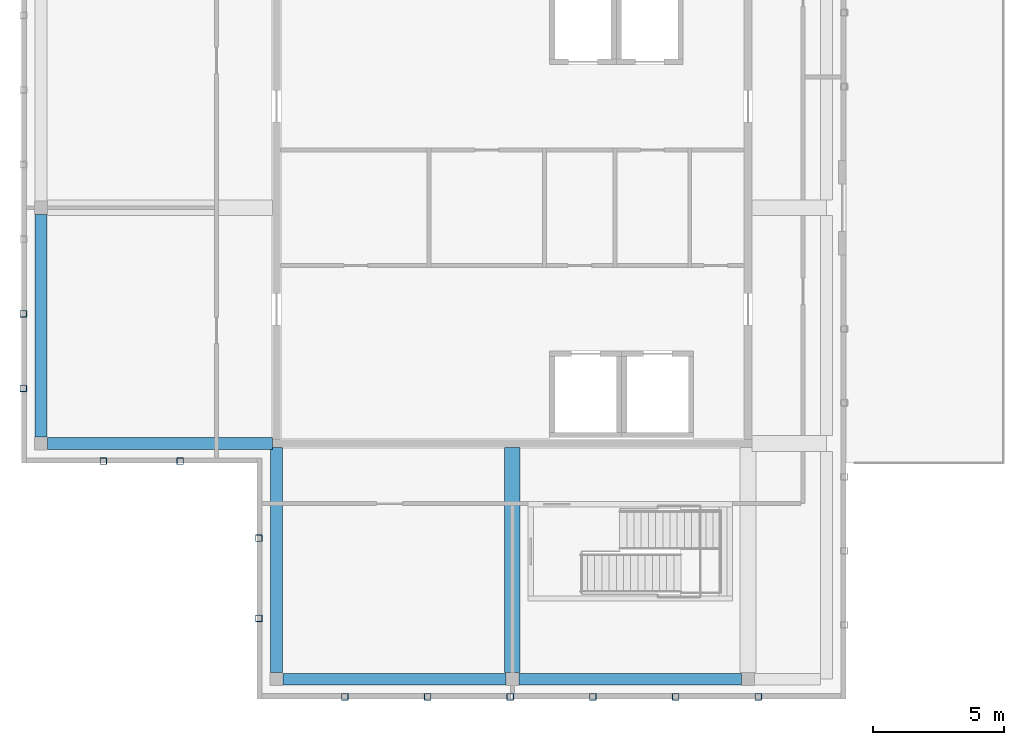
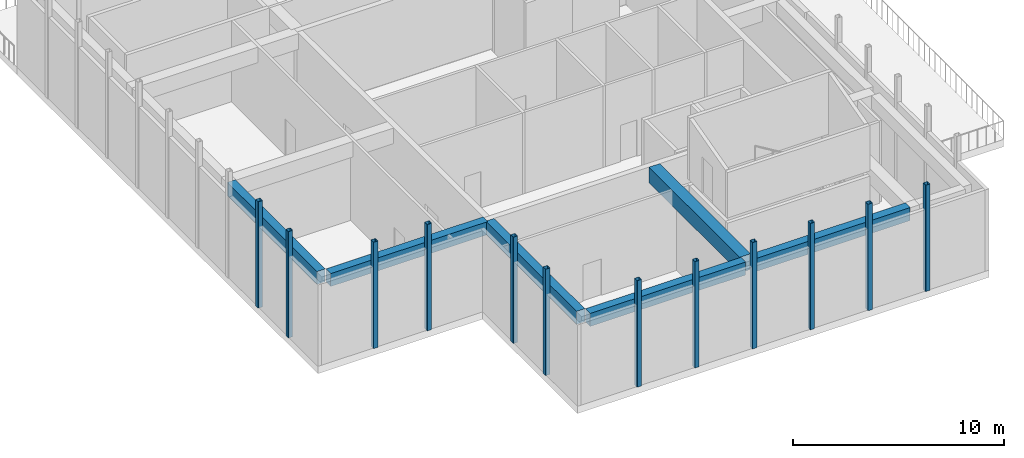
# One storey, part 2 of 11: 12 members, 6 beams.
"""IFC4 building model written with IfcOpenShell, lengths in metres."""

from ifc_helpers import new_model, si_unit, direction, frame, origin, origin_2d, place, context, subcontext, project, spatial, rectangle, hollow_rectangle, extrude, material, material_profile, profile_set, type_object, element, save


model = new_model("IFC4")

# Units and contexts
model_context = context("Model", 3, precision=1e-05, world=origin(), true_north=direction((0.0, 1.0)))
body_context = subcontext(model_context, "Body", "Model", "MODEL_VIEW")
ifc_project = project(units=[si_unit("LENGTHUNIT", "METRE"), si_unit("AREAUNIT", "SQUARE_METRE"), si_unit("VOLUMEUNIT", "CUBIC_METRE"), si_unit("PLANEANGLEUNIT", "RADIAN"), si_unit("MASSUNIT", "GRAM", prefix="KILO")], contexts=[model_context])

# Site, building, storey
site_placement = place(None, origin())
site = spatial("IfcSite", under=ifc_project, at=site_placement, CompositionType="ELEMENT")
building_placement = place(site_placement, origin())
building = spatial("IfcBuilding", under=site, at=building_placement, Name="Tuart Plaza Theatre", CompositionType="ELEMENT")
storey_placement = place(building_placement, frame((0.0, 0.0, 65.5)))
storey = spatial("IfcBuildingStorey", under=building, at=storey_placement, Name="L16", CompositionType="ELEMENT", Elevation=65.5)

# Beams
ifc_material_1 = material(Name="Concrete N40 (40 MPa)", Category="concrete")
ifc_material_profile_1 = material_profile(ifc_material_1, rectangle(XDim=0.449951171875, YDim=0.75, at=origin_2d()), Name="BEAM 450x750 Concrete N40 (40 MPa)")
ifc_profile_set_1 = profile_set([ifc_material_profile_1], Name="Concrete N40 (40 MPa)")
beam_type_1 = type_object("IfcBeamType", Name="BEAM 450x750 Concrete N40 (40 MPa)", PredefinedType="BEAM", material=ifc_profile_set_1)
beam_1_placement = place(storey_placement, frame((114.0, 65.25, 4.324951171875), z_axis=(0.0, 1.0, 0.0), x_axis=(-1.0, 0.0, 0.0)))
element("IfcBeam", 1, at=beam_1_placement, inside=storey, type_object=beam_type_1, Name="RB353", PredefinedType="BEAM", context=body_context, shape_type="SweptSolid", body=[
    extrude(rectangle(XDim=0.449951171875, YDim=0.75, at=origin_2d()), origin(), (0.0, 0.0, 1.0), 8.5),
])
for number, where, z_axis, x_axis, name in (
    (2, (114.25, 65.0, 4.324951171875), (1.0, 0.0, 0.0), (0.0, 1.0, 0.0), "RB354"),
    (3, (123.0, 56.25, 4.324951171875), (0.0, 1.0, 0.0), (-1.0, 0.0, 0.0), "RB360"),
):
    element("IfcBeam", number, at=place(storey_placement, frame(where, z_axis=z_axis, x_axis=x_axis)), inside=storey, type_object=beam_type_1, Name=name, PredefinedType="BEAM", context=body_context, shape_type="SweptSolid", body=[
        extrude(rectangle(XDim=0.449951171875, YDim=0.75, at=origin_2d()), origin(), (0.0, 0.0, 1.0), 8.60009765625),
    ])
for number, where, z_axis, x_axis, name in (
    (4, (123.25, 56.0, 4.324951171875), (1.0, 0.0, 0.0), (0.0, 1.0, 0.0), "RB361"),
    (5, (132.25, 56.0, 4.324951171875), (1.0, 0.0, 0.0), (0.0, 1.0, 0.0), "RB365"),
):
    element("IfcBeam", number, at=place(storey_placement, frame(where, z_axis=z_axis, x_axis=x_axis)), inside=storey, type_object=beam_type_1, Name=name, PredefinedType="BEAM", context=body_context, shape_type="SweptSolid", body=[
        extrude(rectangle(XDim=0.449951171875, YDim=0.75, at=origin_2d()), origin(), (0.0, 0.0, 1.0), 8.5),
    ])
ifc_material_2 = material(Name="Concrete N40 (40 MPa)", Category="concrete")
ifc_material_profile_2 = material_profile(ifc_material_2, rectangle(XDim=0.60009765625, YDim=0.89990234375, at=origin_2d()), Name="BEAM 600x900 Concrete N40 (40 MPa)")
ifc_profile_set_2 = profile_set([ifc_material_profile_2], Name="Concrete N40 (40 MPa)")
beam_type_2 = type_object("IfcBeamType", Name="BEAM 600x900 Concrete N40 (40 MPa)", PredefinedType="BEAM", material=ifc_profile_set_2)
beam_2_placement = place(storey_placement, frame((132.0, 56.25, 4.25), z_axis=(0.0, 1.0, 0.0), x_axis=(-1.0, 0.0, 0.0)))
element("IfcBeam", 6, at=beam_2_placement, inside=storey, type_object=beam_type_2, Name="RB364", PredefinedType="BEAM", context=body_context, shape_type="SweptSolid", body=[
    extrude(rectangle(XDim=0.60009765625, YDim=0.89990234375, at=origin_2d()), origin(), (0.0, 0.0, 1.0), 8.60009765625),
])

# Members
ifc_material_3 = material(Name="Steel Grade C350L0", Category="steel")
ifc_material_profile_3 = material_profile(ifc_material_3, hollow_rectangle(XDim=0.25, YDim=0.25, WallThickness=0.010009765625, InnerFilletRadius=0.010009765625, OuterFilletRadius=0.02001953125, at=origin_2d()), Name="250x250x10 SHS")
ifc_profile_set_3 = profile_set([ifc_material_profile_3], Name="Steel Grade C350L0")
member_type = type_object("IfcMemberType", Name="PLANT SCREEN Fin 250x250x10 SHS", PredefinedType="POST", material=ifc_profile_set_3)
for number, where, z_axis, x_axis, name in (
    (7, (122.324951171875, 61.38330078125, 0.0), (0.0, 0.0, 1.0), (1.0, 0.0, 0.0), "PO241"),
    (8, (122.324951171875, 58.316650390625, 0.0), (0.0, 0.0, 1.0), (1.0, 0.0, 0.0), "PO241"),
    (9, (125.607177734375, 55.324951171875, 0.0), (0.0, 0.0, 1.0), (1.0, 0.0, 0.0), "PO241"),
    (10, (128.764404296875, 55.324951171875, 0.0), (0.0, 0.0, 1.0), (1.0, 0.0, 0.0), "PO241"),
    (11, (131.92138671875, 55.324951171875, 0.0), (0.0, 0.0, 1.0), (1.0, 0.0, 0.0), "PO241"),
    (12, (135.07861328125, 55.324951171875, 0.0), (0.0, 0.0, 1.0), (1.0, 0.0, 0.0), "PO241"),
    (13, (138.235595703125, 55.324951171875, 0.0), (0.0, 0.0, 1.0), (1.0, 0.0, 0.0), "PO241"),
    (14, (141.392822265625, 55.324951171875, 0.0), (0.0, 0.0, 1.0), (1.0, 0.0, 0.0), "PO241"),
    (15, (113.324951171875, 69.949951171875, 0.0), (0.0, 0.0, 1.0), (1.0, 0.0, 0.0), "PO241"),
    (16, (113.324951171875, 67.10009765625, 0.0), (0.0, 0.0, 1.0), (1.0, 0.0, 0.0), "PO241"),
    (17, (116.38330078125, 64.324951171875, 0.0), (0.0, 0.0, 1.0), (1.0, 0.0, 0.0), "PO241"),
    (18, (119.316650390625, 64.324951171875, 0.0), (0.0, 0.0, 1.0), (1.0, 0.0, 0.0), "PO241"),
):
    element("IfcMember", number, at=place(storey_placement, frame(where, z_axis=z_axis, x_axis=x_axis)), inside=storey, type_object=member_type, Name=name, PredefinedType="POST", context=body_context, shape_type="SweptSolid", body=[
        extrude(hollow_rectangle(XDim=0.25, YDim=0.25, WallThickness=0.010009765625, InnerFilletRadius=0.010009765625, OuterFilletRadius=0.02001953125, at=origin_2d()), origin(), (0.0, 0.0, 1.0), 6.14990234375),
    ])

save(model, "model.ifc")
